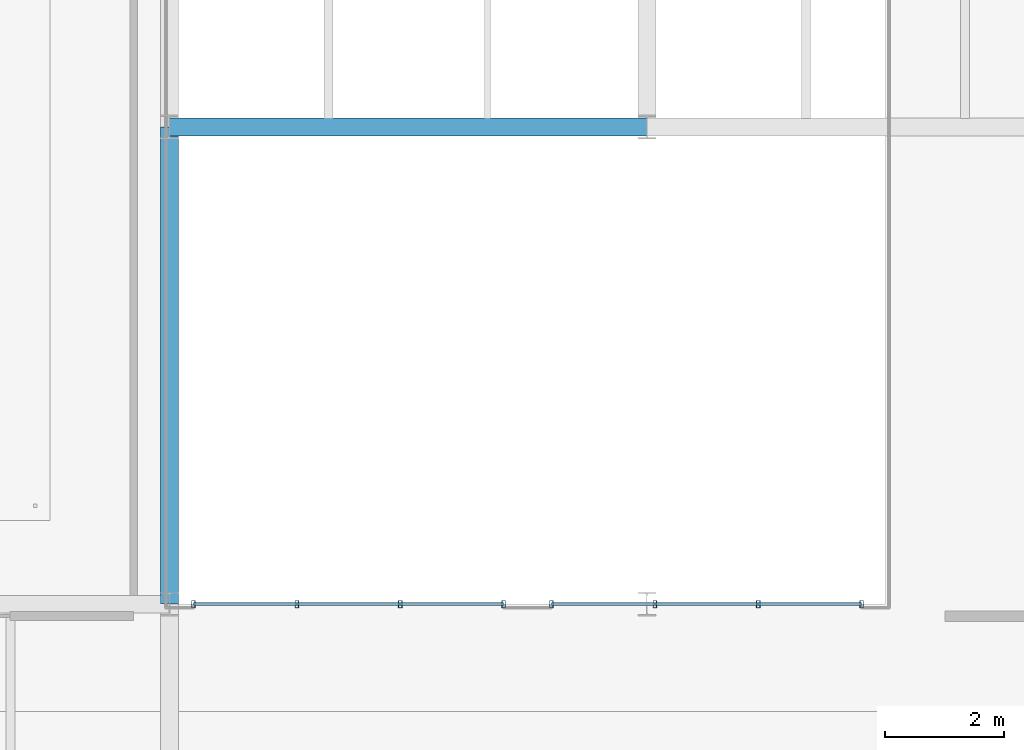
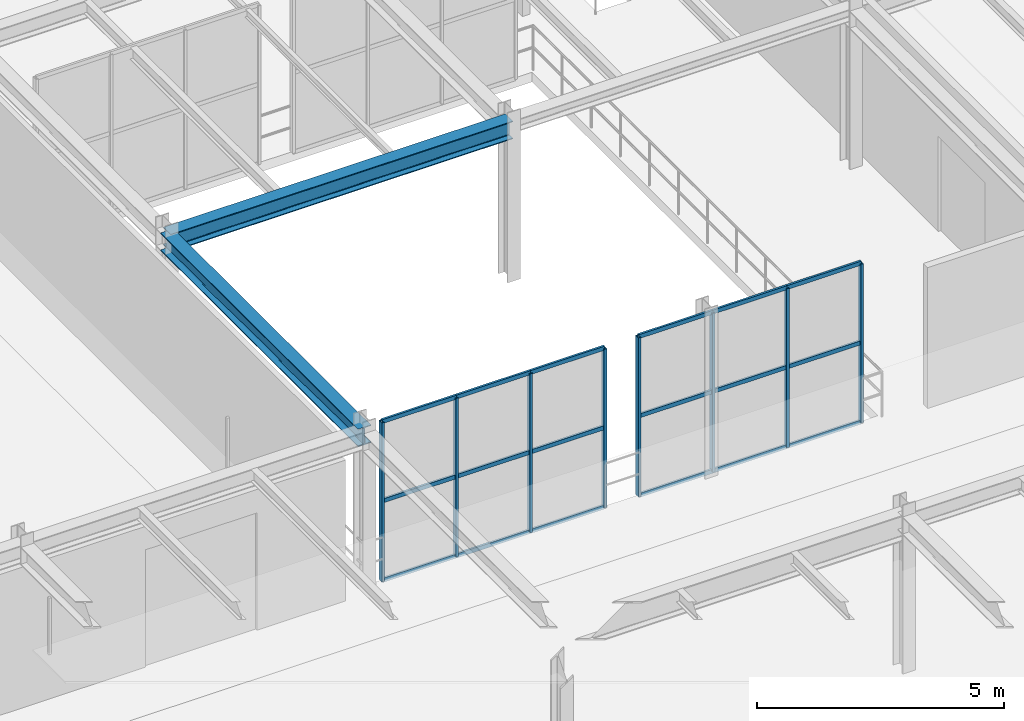
# One storey, part 26 of 67: 26 members, 2 beams, 2 elements without a shape of their own.
"""IFC4 building model written with IfcOpenShell, lengths in metres."""

from ifc_helpers import new_model, si_unit, direction, frame, origin, origin_2d, place, context, subcontext, project, spatial, hollow_rectangle, i_section, extrude, material, material_profile, profile_set, type_object, element, aggregate, save


model = new_model("IFC4")

# Units and contexts
model_context = context("Model", 3, precision=1e-05, world=origin(), true_north=direction((0.0, 1.0)))
body_context = subcontext(model_context, "Body", "Model", "MODEL_VIEW")
ifc_project = project(units=[si_unit("LENGTHUNIT", "METRE"), si_unit("AREAUNIT", "SQUARE_METRE"), si_unit("VOLUMEUNIT", "CUBIC_METRE"), si_unit("PLANEANGLEUNIT", "RADIAN"), si_unit("MASSUNIT", "GRAM", prefix="KILO")], contexts=[model_context])

# Site, building, storey
site_placement = place(None, origin())
site = spatial("IfcSite", under=ifc_project, at=site_placement, CompositionType="ELEMENT")
building_placement = place(site_placement, origin())
building = spatial("IfcBuilding", under=site, at=building_placement, Name="Sundkrona Museum", CompositionType="ELEMENT")
storey_placement = place(building_placement, frame((0.0, 0.0, 21.800048828125)))
storey = spatial("IfcBuildingStorey", under=building, at=storey_placement, Name="L04", CompositionType="ELEMENT", Elevation=21.800048828125)

# Beams
ifc_material_1 = material(Name="Steel S355J2", Category="steel")
ifc_material_profile_1 = material_profile(ifc_material_1, i_section(OverallWidth=0.300048828125, OverallDepth=0.43994140625, WebThickness=0.011474609375, FlangeThickness=0.02099609375, FilletRadius=0.027099609375, at=origin_2d()), Name="HEA 450")
ifc_profile_set_1 = profile_set([ifc_material_profile_1], Name="Steel S355J2")
beam_type = type_object("IfcBeamType", Name="B-HEA450", PredefinedType="BEAM", material=ifc_profile_set_1)
for number, where, z_axis, x_axis, name in (
    (1, (136.0, 24.0, 3.699951171875), (1.0, 0.0, 0.0), (0.0, 1.0, 0.0), "L04 Girder X-1718"),
    (2, (136.0, 16.0, 3.699951171875), (0.0, 1.0, 0.0), (-1.0, 0.0, 0.0), "L04 Girder Y-1750"),
):
    element("IfcBeam", number, at=place(storey_placement, frame(where, z_axis=z_axis, x_axis=x_axis)), inside=storey, type_object=beam_type, Name=name, PredefinedType="BEAM", context=body_context, shape_type="SweptSolid", body=[
        extrude(i_section(OverallWidth=0.300048828125, OverallDepth=0.43994140625, WebThickness=0.011474609375, FlangeThickness=0.02099609375, FilletRadius=0.027099609375, at=origin_2d()), origin(), (0.0, 0.0, 1.0), 8.0),
    ])

# Curtain wall, members
ifc_material_2 = material(Name="Unitised Aluminium-Steel and Ceramic-Clad Curtain Walling", Category="steel")
curtain_wall_type = type_object("IfcCurtainWallType", Name="CW-SC-52x38", PredefinedType="NOTDEFINED", material=ifc_material_2)
curtain_wall_1_placement = place(storey_placement, origin())
curtain_wall_1 = element("IfcCurtainWall", 3, at=curtain_wall_1_placement, inside=storey, type_object=curtain_wall_type, Name="L04 Curtain Wall CW-L04-013", PredefinedType="NOTDEFINED")
ifc_material_3 = material(Name="Aluminium EN AW-6060 T66", Category="aluminium")
ifc_material_profile_2 = material_profile(ifc_material_3, hollow_rectangle(XDim=0.06005859375, YDim=0.1201171875, WallThickness=0.0048828125, at=origin_2d()), Name="RHS 120x60x5.0")
ifc_profile_set_2 = profile_set([ifc_material_profile_2], Name="Aluminium EN AW-6060 T66")
member_type_1 = type_object("IfcMemberType", Name="ML-120", PredefinedType="MULLION", material=ifc_profile_set_2)
member_1_placement = place(storey_placement, frame((136.39990234375, 16.0, -0.004150390625), z_axis=(0.0, 0.0, 1.0), x_axis=(1.0, 0.0, 0.0)))
member_1 = element("IfcMember", 4, at=member_1_placement, type_object=member_type_1, Name="CW-L04-013 Mullion 01", PredefinedType="MULLION", context=body_context, shape_type="SweptSolid", body=[
    extrude(hollow_rectangle(XDim=0.06005859375, YDim=0.1201171875, WallThickness=0.0048828125, at=origin_2d()), origin(), (0.0, 0.0, 1.0), 3.92822265625),
])
member_2_placement = place(storey_placement, frame((138.13330078125, 16.0, -0.004150390625), z_axis=(0.0, 0.0, 1.0), x_axis=(1.0, 0.0, 0.0)))
member_2 = element("IfcMember", 5, at=member_2_placement, type_object=member_type_1, Name="CW-L04-013 Mullion 02", PredefinedType="MULLION", context=body_context, shape_type="SweptSolid", body=[
    extrude(hollow_rectangle(XDim=0.06005859375, YDim=0.1201171875, WallThickness=0.0048828125, at=origin_2d()), origin(), (0.0, 0.0, 1.0), 3.92822265625),
])
member_3_placement = place(storey_placement, frame((139.86669921875, 16.0, -0.004150390625), z_axis=(0.0, 0.0, 1.0), x_axis=(1.0, 0.0, 0.0)))
member_3 = element("IfcMember", 6, at=member_3_placement, type_object=member_type_1, Name="CW-L04-013 Mullion 03", PredefinedType="MULLION", context=body_context, shape_type="SweptSolid", body=[
    extrude(hollow_rectangle(XDim=0.06005859375, YDim=0.1201171875, WallThickness=0.0048828125, at=origin_2d()), origin(), (0.0, 0.0, 1.0), 3.92822265625),
])
member_4_placement = place(storey_placement, frame((141.60009765625, 16.0, -0.004150390625), z_axis=(0.0, 0.0, 1.0), x_axis=(1.0, 0.0, 0.0)))
member_4 = element("IfcMember", 7, at=member_4_placement, type_object=member_type_1, Name="CW-L04-013 Mullion 04", PredefinedType="MULLION", context=body_context, shape_type="SweptSolid", body=[
    extrude(hollow_rectangle(XDim=0.06005859375, YDim=0.1201171875, WallThickness=0.0048828125, at=origin_2d()), origin(), (0.0, 0.0, 1.0), 3.92822265625),
])

curtain_wall_2_placement = place(storey_placement, origin())
curtain_wall_2 = element("IfcCurtainWall", 8, at=curtain_wall_2_placement, inside=storey, type_object=curtain_wall_type, Name="L04 Curtain Wall CW-L04-015", PredefinedType="NOTDEFINED")
member_5_placement = place(storey_placement, frame((142.39990234375, 16.0, -0.004150390625), z_axis=(0.0, 0.0, 1.0), x_axis=(1.0, 0.0, 0.0)))
member_5 = element("IfcMember", 9, at=member_5_placement, type_object=member_type_1, Name="CW-L04-015 Mullion 01", PredefinedType="MULLION", context=body_context, shape_type="SweptSolid", body=[
    extrude(hollow_rectangle(XDim=0.06005859375, YDim=0.1201171875, WallThickness=0.0048828125, at=origin_2d()), origin(), (0.0, 0.0, 1.0), 3.92822265625),
])
member_6_placement = place(storey_placement, frame((144.13330078125, 16.0, -0.004150390625), z_axis=(0.0, 0.0, 1.0), x_axis=(1.0, 0.0, 0.0)))
member_6 = element("IfcMember", 10, at=member_6_placement, type_object=member_type_1, Name="CW-L04-015 Mullion 02", PredefinedType="MULLION", context=body_context, shape_type="SweptSolid", body=[
    extrude(hollow_rectangle(XDim=0.06005859375, YDim=0.1201171875, WallThickness=0.0048828125, at=origin_2d()), origin(), (0.0, 0.0, 1.0), 3.92822265625),
])
member_7_placement = place(storey_placement, frame((145.86669921875, 16.0, -0.004150390625), z_axis=(0.0, 0.0, 1.0), x_axis=(1.0, 0.0, 0.0)))
member_7 = element("IfcMember", 11, at=member_7_placement, type_object=member_type_1, Name="CW-L04-015 Mullion 03", PredefinedType="MULLION", context=body_context, shape_type="SweptSolid", body=[
    extrude(hollow_rectangle(XDim=0.06005859375, YDim=0.1201171875, WallThickness=0.0048828125, at=origin_2d()), origin(), (0.0, 0.0, 1.0), 3.92822265625),
])
member_8_placement = place(storey_placement, frame((147.60009765625, 16.0, -0.004150390625), z_axis=(0.0, 0.0, 1.0), x_axis=(1.0, 0.0, 0.0)))
member_8 = element("IfcMember", 12, at=member_8_placement, type_object=member_type_1, Name="CW-L04-015 Mullion 04", PredefinedType="MULLION", context=body_context, shape_type="SweptSolid", body=[
    extrude(hollow_rectangle(XDim=0.06005859375, YDim=0.1201171875, WallThickness=0.0048828125, at=origin_2d()), origin(), (0.0, 0.0, 1.0), 3.92822265625),
])

# Member
ifc_material_profile_3 = material_profile(ifc_material_3, hollow_rectangle(XDim=0.050048828125, YDim=0.10009765625, WallThickness=0.0048828125, at=origin_2d()), Name="RHS 100x50x5.0")
ifc_profile_set_3 = profile_set([ifc_material_profile_3], Name="Aluminium EN AW-6060 T66")
member_type_2 = type_object("IfcMemberType", Name="TR-100", PredefinedType="USERDEFINED", material=ifc_profile_set_3)
member_9_placement = place(storey_placement, frame((136.39990234375, 16.0, -0.004150390625), z_axis=(1.0, 0.0, 0.0), x_axis=(0.0, 1.0, 0.0)))
member_9 = element("IfcMember", 13, at=member_9_placement, type_object=member_type_2, Name="CW-L04-013 Transom 01", ObjectType="TRANSOM", PredefinedType="USERDEFINED", context=body_context, shape_type="SweptSolid", body=[
    extrude(hollow_rectangle(XDim=0.050048828125, YDim=0.10009765625, WallThickness=0.0048828125, at=origin_2d()), origin(), (0.0, 0.0, 1.0), 1.7333984375),
])

member_10_placement = place(storey_placement, frame((136.39990234375, 16.0, 1.9599609375), z_axis=(1.0, 0.0, 0.0), x_axis=(0.0, 1.0, 0.0)))
member_10 = element("IfcMember", 14, at=member_10_placement, type_object=member_type_2, Name="CW-L04-013 Transom 02", ObjectType="TRANSOM", PredefinedType="USERDEFINED", context=body_context, shape_type="SweptSolid", body=[
    extrude(hollow_rectangle(XDim=0.050048828125, YDim=0.10009765625, WallThickness=0.0048828125, at=origin_2d()), origin(), (0.0, 0.0, 1.0), 1.7333984375),
])

member_11_placement = place(storey_placement, frame((136.39990234375, 16.0, 3.924072265625), z_axis=(1.0, 0.0, 0.0), x_axis=(0.0, 1.0, 0.0)))
member_11 = element("IfcMember", 15, at=member_11_placement, type_object=member_type_2, Name="CW-L04-013 Transom 03", ObjectType="TRANSOM", PredefinedType="USERDEFINED", context=body_context, shape_type="SweptSolid", body=[
    extrude(hollow_rectangle(XDim=0.050048828125, YDim=0.10009765625, WallThickness=0.0048828125, at=origin_2d()), origin(), (0.0, 0.0, 1.0), 1.7333984375),
])

member_12_placement = place(storey_placement, frame((138.13330078125, 16.0, -0.004150390625), z_axis=(1.0, 0.0, 0.0), x_axis=(0.0, 1.0, 0.0)))
member_12 = element("IfcMember", 16, at=member_12_placement, type_object=member_type_2, Name="CW-L04-013 Transom 04", ObjectType="TRANSOM", PredefinedType="USERDEFINED", context=body_context, shape_type="SweptSolid", body=[
    extrude(hollow_rectangle(XDim=0.050048828125, YDim=0.10009765625, WallThickness=0.0048828125, at=origin_2d()), origin(), (0.0, 0.0, 1.0), 1.7333984375),
])

member_13_placement = place(storey_placement, frame((138.13330078125, 16.0, 1.9599609375), z_axis=(1.0, 0.0, 0.0), x_axis=(0.0, 1.0, 0.0)))
member_13 = element("IfcMember", 17, at=member_13_placement, type_object=member_type_2, Name="CW-L04-013 Transom 05", ObjectType="TRANSOM", PredefinedType="USERDEFINED", context=body_context, shape_type="SweptSolid", body=[
    extrude(hollow_rectangle(XDim=0.050048828125, YDim=0.10009765625, WallThickness=0.0048828125, at=origin_2d()), origin(), (0.0, 0.0, 1.0), 1.7333984375),
])

member_14_placement = place(storey_placement, frame((138.13330078125, 16.0, 3.924072265625), z_axis=(1.0, 0.0, 0.0), x_axis=(0.0, 1.0, 0.0)))
member_14 = element("IfcMember", 18, at=member_14_placement, type_object=member_type_2, Name="CW-L04-013 Transom 06", ObjectType="TRANSOM", PredefinedType="USERDEFINED", context=body_context, shape_type="SweptSolid", body=[
    extrude(hollow_rectangle(XDim=0.050048828125, YDim=0.10009765625, WallThickness=0.0048828125, at=origin_2d()), origin(), (0.0, 0.0, 1.0), 1.7333984375),
])

member_15_placement = place(storey_placement, frame((139.86669921875, 16.0, -0.004150390625), z_axis=(1.0, 0.0, 0.0), x_axis=(0.0, 1.0, 0.0)))
member_15 = element("IfcMember", 19, at=member_15_placement, type_object=member_type_2, Name="CW-L04-013 Transom 07", ObjectType="TRANSOM", PredefinedType="USERDEFINED", context=body_context, shape_type="SweptSolid", body=[
    extrude(hollow_rectangle(XDim=0.050048828125, YDim=0.10009765625, WallThickness=0.0048828125, at=origin_2d()), origin(), (0.0, 0.0, 1.0), 1.7333984375),
])

member_16_placement = place(storey_placement, frame((139.86669921875, 16.0, 1.9599609375), z_axis=(1.0, 0.0, 0.0), x_axis=(0.0, 1.0, 0.0)))
member_16 = element("IfcMember", 20, at=member_16_placement, type_object=member_type_2, Name="CW-L04-013 Transom 08", ObjectType="TRANSOM", PredefinedType="USERDEFINED", context=body_context, shape_type="SweptSolid", body=[
    extrude(hollow_rectangle(XDim=0.050048828125, YDim=0.10009765625, WallThickness=0.0048828125, at=origin_2d()), origin(), (0.0, 0.0, 1.0), 1.7333984375),
])

member_17_placement = place(storey_placement, frame((139.86669921875, 16.0, 3.924072265625), z_axis=(1.0, 0.0, 0.0), x_axis=(0.0, 1.0, 0.0)))
member_17 = element("IfcMember", 21, at=member_17_placement, type_object=member_type_2, Name="CW-L04-013 Transom 09", ObjectType="TRANSOM", PredefinedType="USERDEFINED", context=body_context, shape_type="SweptSolid", body=[
    extrude(hollow_rectangle(XDim=0.050048828125, YDim=0.10009765625, WallThickness=0.0048828125, at=origin_2d()), origin(), (0.0, 0.0, 1.0), 1.7333984375),
])

aggregate(curtain_wall_1, [member_1, member_2, member_3, member_4, member_9, member_10, member_11, member_12, member_13, member_14, member_15, member_16, member_17])

member_18_placement = place(storey_placement, frame((142.39990234375, 16.0, -0.004150390625), z_axis=(1.0, 0.0, 0.0), x_axis=(0.0, 1.0, 0.0)))
member_18 = element("IfcMember", 22, at=member_18_placement, type_object=member_type_2, Name="CW-L04-015 Transom 01", ObjectType="TRANSOM", PredefinedType="USERDEFINED", context=body_context, shape_type="SweptSolid", body=[
    extrude(hollow_rectangle(XDim=0.050048828125, YDim=0.10009765625, WallThickness=0.0048828125, at=origin_2d()), origin(), (0.0, 0.0, 1.0), 1.7333984375),
])

member_19_placement = place(storey_placement, frame((142.39990234375, 16.0, 1.9599609375), z_axis=(1.0, 0.0, 0.0), x_axis=(0.0, 1.0, 0.0)))
member_19 = element("IfcMember", 23, at=member_19_placement, type_object=member_type_2, Name="CW-L04-015 Transom 02", ObjectType="TRANSOM", PredefinedType="USERDEFINED", context=body_context, shape_type="SweptSolid", body=[
    extrude(hollow_rectangle(XDim=0.050048828125, YDim=0.10009765625, WallThickness=0.0048828125, at=origin_2d()), origin(), (0.0, 0.0, 1.0), 1.7333984375),
])

member_20_placement = place(storey_placement, frame((142.39990234375, 16.0, 3.924072265625), z_axis=(1.0, 0.0, 0.0), x_axis=(0.0, 1.0, 0.0)))
member_20 = element("IfcMember", 24, at=member_20_placement, type_object=member_type_2, Name="CW-L04-015 Transom 03", ObjectType="TRANSOM", PredefinedType="USERDEFINED", context=body_context, shape_type="SweptSolid", body=[
    extrude(hollow_rectangle(XDim=0.050048828125, YDim=0.10009765625, WallThickness=0.0048828125, at=origin_2d()), origin(), (0.0, 0.0, 1.0), 1.7333984375),
])

member_21_placement = place(storey_placement, frame((144.13330078125, 16.0, -0.004150390625), z_axis=(1.0, 0.0, 0.0), x_axis=(0.0, 1.0, 0.0)))
member_21 = element("IfcMember", 25, at=member_21_placement, type_object=member_type_2, Name="CW-L04-015 Transom 04", ObjectType="TRANSOM", PredefinedType="USERDEFINED", context=body_context, shape_type="SweptSolid", body=[
    extrude(hollow_rectangle(XDim=0.050048828125, YDim=0.10009765625, WallThickness=0.0048828125, at=origin_2d()), origin(), (0.0, 0.0, 1.0), 1.7333984375),
])

member_22_placement = place(storey_placement, frame((144.13330078125, 16.0, 1.9599609375), z_axis=(1.0, 0.0, 0.0), x_axis=(0.0, 1.0, 0.0)))
member_22 = element("IfcMember", 26, at=member_22_placement, type_object=member_type_2, Name="CW-L04-015 Transom 05", ObjectType="TRANSOM", PredefinedType="USERDEFINED", context=body_context, shape_type="SweptSolid", body=[
    extrude(hollow_rectangle(XDim=0.050048828125, YDim=0.10009765625, WallThickness=0.0048828125, at=origin_2d()), origin(), (0.0, 0.0, 1.0), 1.7333984375),
])

member_23_placement = place(storey_placement, frame((144.13330078125, 16.0, 3.924072265625), z_axis=(1.0, 0.0, 0.0), x_axis=(0.0, 1.0, 0.0)))
member_23 = element("IfcMember", 27, at=member_23_placement, type_object=member_type_2, Name="CW-L04-015 Transom 06", ObjectType="TRANSOM", PredefinedType="USERDEFINED", context=body_context, shape_type="SweptSolid", body=[
    extrude(hollow_rectangle(XDim=0.050048828125, YDim=0.10009765625, WallThickness=0.0048828125, at=origin_2d()), origin(), (0.0, 0.0, 1.0), 1.7333984375),
])

member_24_placement = place(storey_placement, frame((145.86669921875, 16.0, -0.004150390625), z_axis=(1.0, 0.0, 0.0), x_axis=(0.0, 1.0, 0.0)))
member_24 = element("IfcMember", 28, at=member_24_placement, type_object=member_type_2, Name="CW-L04-015 Transom 07", ObjectType="TRANSOM", PredefinedType="USERDEFINED", context=body_context, shape_type="SweptSolid", body=[
    extrude(hollow_rectangle(XDim=0.050048828125, YDim=0.10009765625, WallThickness=0.0048828125, at=origin_2d()), origin(), (0.0, 0.0, 1.0), 1.7333984375),
])

member_25_placement = place(storey_placement, frame((145.86669921875, 16.0, 1.9599609375), z_axis=(1.0, 0.0, 0.0), x_axis=(0.0, 1.0, 0.0)))
member_25 = element("IfcMember", 29, at=member_25_placement, type_object=member_type_2, Name="CW-L04-015 Transom 08", ObjectType="TRANSOM", PredefinedType="USERDEFINED", context=body_context, shape_type="SweptSolid", body=[
    extrude(hollow_rectangle(XDim=0.050048828125, YDim=0.10009765625, WallThickness=0.0048828125, at=origin_2d()), origin(), (0.0, 0.0, 1.0), 1.7333984375),
])

member_26_placement = place(storey_placement, frame((145.86669921875, 16.0, 3.924072265625), z_axis=(1.0, 0.0, 0.0), x_axis=(0.0, 1.0, 0.0)))
member_26 = element("IfcMember", 30, at=member_26_placement, type_object=member_type_2, Name="CW-L04-015 Transom 09", ObjectType="TRANSOM", PredefinedType="USERDEFINED", context=body_context, shape_type="SweptSolid", body=[
    extrude(hollow_rectangle(XDim=0.050048828125, YDim=0.10009765625, WallThickness=0.0048828125, at=origin_2d()), origin(), (0.0, 0.0, 1.0), 1.7333984375),
])

aggregate(curtain_wall_2, [member_5, member_6, member_7, member_8, member_18, member_19, member_20, member_21, member_22, member_23, member_24, member_25, member_26])

save(model, "model.ifc")
